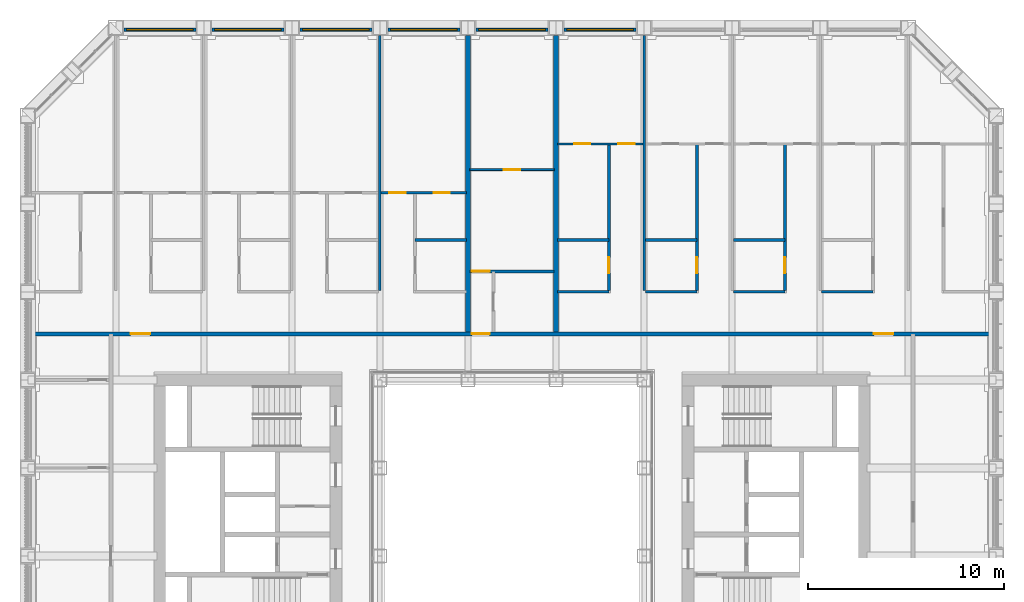
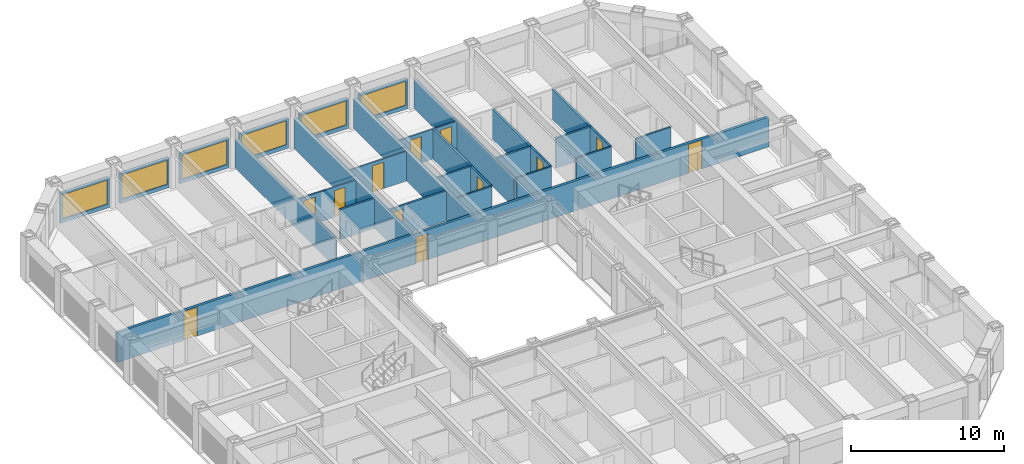
# One storey, part 14 of 21: 26 walls, 12 doors, 6 windows, 18 openings.
"""IFC4 building model written with IfcOpenShell, lengths in metres."""

import ifcopenshell
import ifcopenshell.guid

model = None  # the IFC model being written
_history = None  # IfcOwnerHistory: only IFC2X3 demands one
_inside = {}  # id of a spatial element -> (the spatial element, [elements in it])
_under = {}  # id of a project, library or spatial element -> (it, [spatial elements below it])
_declared = {}  # id of a project -> (the project, [libraries it declares])
_typed = {}  # id of a type object -> (the type object, [elements of that type])
_made_of = {}  # id of a material, layer set ... -> (it, [elements and type objects made of it])


def new_model(schema):
    """Start an empty IFC model of exactly this schema.

    Asked for "IFC4X3", IfcOpenShell would pick the latest addendum, in which some entities
    have other attributes; the version numbers below select the first issue.
    IFC2X3 requires an IfcOwnerHistory on every rooted entity: one is made here for all.
    """
    global model, _history
    if schema == "IFC4X3":
        model = ifcopenshell.file(schema_version=(4, 3, 0, 0))
    else:
        model = ifcopenshell.file(schema=schema)
    _inside.clear()
    _under.clear()
    _declared.clear()
    _typed.clear()
    _made_of.clear()
    _history = None
    if model.schema == "IFC2X3":
        org = make("IfcOrganization", Name="unknown")
        user = make(
            "IfcPersonAndOrganization",
            ThePerson=make("IfcPerson", FamilyName="unknown"),
            TheOrganization=org,
        )
        app = make(
            "IfcApplication",
            ApplicationDeveloper=org,
            Version="unknown",
            ApplicationFullName="unknown",
            ApplicationIdentifier="unknown",
        )
        _history = make(
            "IfcOwnerHistory",
            OwningUser=user,
            OwningApplication=app,
            ChangeAction="ADDED",
            CreationDate=0,
        )
    return model


def make(cls, **values):
    """One entity of the class cls with the attributes given. An attribute that is None is left unset."""
    return model.create_entity(
        cls, **{name: value for name, value in values.items() if value is not None}
    )


def rooted(cls, **values):
    """An entity with a GlobalId (a new one), such as an element, a storey or a relation."""
    return make(cls, GlobalId=ifcopenshell.guid.new(), OwnerHistory=_history, **values)


def si_unit(unit_type, name, prefix=None):
    """IfcSIUnit, for example si_unit("LENGTHUNIT", "METRE", prefix="MILLI")."""
    return make("IfcSIUnit", UnitType=unit_type, Prefix=prefix, Name=name)


def assignment(units):
    """IfcUnitAssignment: the units of a project."""
    return None if units is None else make("IfcUnitAssignment", Units=units)


def point(xyz):
    """IfcCartesianPoint."""
    return None if xyz is None else make("IfcCartesianPoint", Coordinates=xyz)


def direction(xyz):
    """IfcDirection."""
    return None if xyz is None else make("IfcDirection", DirectionRatios=xyz)


def frame(location, z_axis=None, x_axis=None):
    """IfcAxis2Placement3D, a coordinate frame: its origin and axes. An axis left out is left unset."""
    return make(
        "IfcAxis2Placement3D",
        Location=point(location),
        Axis=direction(z_axis),
        RefDirection=direction(x_axis),
    )


def frame_2d(location, x_axis=None):
    """IfcAxis2Placement2D, a coordinate frame in the plane: its origin and x axis."""
    return make(
        "IfcAxis2Placement2D", Location=point(location), RefDirection=direction(x_axis)
    )


def origin():
    """The frame at (0, 0, 0) with its axes left unset."""
    return frame((0.0, 0.0, 0.0))


def place(relative_to, where):
    """IfcLocalPlacement: puts the frame where relative to a parent placement (None: the world)."""
    return make(
        "IfcLocalPlacement", PlacementRelTo=relative_to, RelativePlacement=where
    )


def context(
    kind, dimensions, precision=None, world=None, true_north=None, identifier=None
):
    """IfcGeometricRepresentationContext, for example the 3D "Model" context."""
    return make(
        "IfcGeometricRepresentationContext",
        ContextIdentifier=identifier,
        ContextType=kind,
        CoordinateSpaceDimension=dimensions,
        Precision=precision,
        WorldCoordinateSystem=world,
        TrueNorth=true_north,
    )


def subcontext(parent, identifier, kind, view, scale=None):
    """IfcGeometricRepresentationSubContext, for example "Body" below "Model"."""
    return make(
        "IfcGeometricRepresentationSubContext",
        ContextIdentifier=identifier,
        ContextType=kind,
        ParentContext=parent,
        TargetScale=scale,
        TargetView=view,
    )


def project(units=None, contexts=None):
    """IfcProject with its units and contexts."""
    return rooted(
        "IfcProject",
        Name="project",
        RepresentationContexts=contexts,
        UnitsInContext=assignment(units),
    )


def spatial(cls, under=None, at=None, **own):
    """A site, building, storey or space (cls), placed at a placement, below another one or the project."""
    s = rooted(cls, ObjectPlacement=at, **own)
    if under is not None:
        _under.setdefault(under.id(), (under, []))[1].append(s)
    return s


def profile(cls, at=None, kind="AREA", **sizes):
    """A parametric profile (cls). Its sizes go by their IFC names, for example OverallWidth=200.0."""
    return make(cls, ProfileType=kind, Position=at, **sizes)


def rectangle(**sizes):
    """IfcRectangleProfileDef."""
    return profile("IfcRectangleProfileDef", **sizes)


def extrude(swept, where, along, depth):
    """IfcExtrudedAreaSolid: the profile swept, set in the frame where, extruded along a direction by depth."""
    return make(
        "IfcExtrudedAreaSolid",
        SweptArea=swept,
        Position=where,
        ExtrudedDirection=direction(along),
        Depth=depth,
    )


def shape(context_of_items, identifier, shape_type, items):
    """IfcShapeRepresentation: the items that make up one representation, for example the "Body"."""
    return make(
        "IfcShapeRepresentation",
        ContextOfItems=context_of_items,
        RepresentationIdentifier=identifier,
        RepresentationType=shape_type,
        Items=items,
    )


def material(Name=None, Category=None):
    """IfcMaterial."""
    return make("IfcMaterial", Name=Name, Category=Category)


def layer(
    of_material, thickness, ventilated=None, Name=None, Category=None, Priority=None
):
    """IfcMaterialLayer: one layer of a wall or slab, of a material (None: an air gap)."""
    return make(
        "IfcMaterialLayer",
        Material=of_material,
        LayerThickness=thickness,
        IsVentilated=ventilated,
        Name=Name,
        Category=Category,
        Priority=Priority,
    )


def layer_set(layers, Name=None):
    """IfcMaterialLayerSet."""
    return make("IfcMaterialLayerSet", MaterialLayers=layers, LayerSetName=Name)


def made_of(thing, what):
    """Note that an element or type object is made of a material, layer set ...; save() writes the relation."""
    if what is not None:
        _made_of.setdefault(what.id(), (what, []))[1].append(thing)
    return thing


def type_object(cls, material=None, **own):
    """A type object (cls), such as IfcWallType, which elements share."""
    return made_of(rooted(cls, **own), material)


def element(
    cls,
    number,
    at=None,
    inside=None,
    cuts=None,
    type_object=None,
    material=None,
    context=None,
    identifier="Body",
    shape_type=None,
    held_by="IfcProductDefinitionShape",
    body=None,
    shapes=None,
    **own,
):
    """One element of the class cls, such as IfcWall. Its Tag is "e" and its number.

    at: its placement. inside: the storey or other place that contains it. cuts: it is an
    opening in that element (IfcRelVoidsElement). A single representation is given by context,
    identifier, shape_type and body (its items); several are given by shapes. held_by: the class
    of the entity that holds the representations. save() writes the other relations.
    """
    e = rooted(cls, Tag="e%d" % number, ObjectPlacement=at, **own)
    if body is not None:
        shapes = [shape(context, identifier, shape_type, body)]
    if shapes is not None:
        e.Representation = make(held_by, Representations=shapes)
    if inside is not None:
        _inside.setdefault(inside.id(), (inside, []))[1].append(e)
    if cuts is not None:
        rooted(
            "IfcRelVoidsElement", RelatingBuildingElement=cuts, RelatedOpeningElement=e
        )
    if type_object is not None:
        _typed.setdefault(type_object.id(), (type_object, []))[1].append(e)
    return made_of(e, material)


def fill(opening, filler):
    """IfcRelFillsElement: the door or window that sits in an opening."""
    return rooted(
        "IfcRelFillsElement",
        RelatingOpeningElement=opening,
        RelatedBuildingElement=filler,
    )


def aggregate(whole, parts):
    """IfcRelAggregates: a whole, such as a stair, and the parts it consists of."""
    return rooted("IfcRelAggregates", RelatingObject=whole, RelatedObjects=parts)


def save(model, path):
    """Write the relations noted so far, then the file.

    IfcRelAggregates (storeys below a building ...), IfcRelContainedInSpatialStructure (elements
    in a storey), IfcRelDefinesByType, IfcRelAssociatesMaterial and IfcRelDeclares: one each for
    every whole, place, type object, material and project.
    """
    for whole, parts in _under.values():
        aggregate(whole, parts)
    for where, things in _inside.values():
        rooted(
            "IfcRelContainedInSpatialStructure",
            RelatedElements=things,
            RelatingStructure=where,
        )
    for kind, things in _typed.values():
        rooted("IfcRelDefinesByType", RelatedObjects=things, RelatingType=kind)
    for what, things in _made_of.values():
        rooted("IfcRelAssociatesMaterial", RelatedObjects=things, RelatingMaterial=what)
    for by, libraries in _declared.values():
        rooted("IfcRelDeclares", RelatingContext=by, RelatedDefinitions=libraries)
    model.write(path)


model = new_model("IFC4")

# Units and contexts
model_context = context("Model", 3, precision=1e-05, world=origin(), true_north=direction((0.0, 1.0)))
body_context = subcontext(model_context, "Body", "Model", "MODEL_VIEW")
ifc_project = project(units=[si_unit("LENGTHUNIT", "METRE"), si_unit("AREAUNIT", "SQUARE_METRE"), si_unit("VOLUMEUNIT", "CUBIC_METRE"), si_unit("PLANEANGLEUNIT", "RADIAN"), si_unit("MASSUNIT", "GRAM", prefix="KILO")], contexts=[model_context])

# Site, building, storey
site_placement = place(None, origin())
site = spatial("IfcSite", under=ifc_project, at=site_placement, CompositionType="ELEMENT")
building_placement = place(site_placement, origin())
building = spatial("IfcBuilding", under=site, at=building_placement, Name="Msasa Ring Tower", CompositionType="ELEMENT")
storey_placement = place(building_placement, frame((0.0, 0.0, 100.0)))
storey = spatial("IfcBuildingStorey", under=building, at=storey_placement, Name="L26", CompositionType="ELEMENT", Elevation=100.0)

# Wall, opening, window
ifc_material_1 = material(Name="Terracotta rainscreen on blockwork", Category="masonry")
ifc_layer_1 = layer(ifc_material_1, 0.199951171875)
ifc_layer_set_1 = layer_set([ifc_layer_1], Name="FW1 TERRACOTTA-LINED INFILL BAY WALL 200")
wall_type_1 = type_object("IfcWallType", Name="FW1 TERRACOTTA-LINED INFILL BAY WALL 200", PredefinedType="SOLIDWALL", material=ifc_layer_set_1)
wall_1_placement = place(storey_placement, frame((-19.844970703125, 24.64990234375, 0.0), z_axis=(0.0, 0.0, 1.0), x_axis=(1.0, 0.0, 0.0)))
wall_1 = element("IfcWall", 1, at=wall_1_placement, inside=storey, type_object=wall_type_1, Name="Infill bay wall N L26 22", PredefinedType="SOLIDWALL", context=body_context, shape_type="SweptSolid", body=[
    extrude(rectangle(XDim=3.68994140625, YDim=0.199951171875, at=frame_2d((1.844970703125, 0.0))), origin(), (0.0, 0.0, 1.0), 2.37890625),
])
opening_1_placement = place(wall_1_placement, frame((0.14501953125, 0.0, 0.300048828125)))
opening_1 = element("IfcOpeningElement", 2, at=opening_1_placement, cuts=wall_1, Name="Opening WN1", PredefinedType="OPENING", context=body_context, shape_type="SweptSolid", body=[
    extrude(rectangle(XDim=3.39990234375, YDim=1.928955078125, at=frame_2d((1.699951171875, 0.96435546875))), frame((0.0, 0.10986328125, 0.0), z_axis=(0.0, -1.0, 0.0), x_axis=(1.0, 0.0, 0.0)), (0.0, 0.0, 1.0), 0.219970703125),
])
ifc_material_2 = material(Name="Aluminium frame with clear glass", Category="aluminium")
window_type = type_object("IfcWindowType", Name="WN1 RESIDENCE WINDOW 3400x1929", PartitioningType="SINGLE_PANEL", PredefinedType="WINDOW", material=ifc_material_2)
window_1_placement = place(opening_1_placement, origin())
window_1 = element("IfcWindow", 3, at=window_1_placement, inside=storey, type_object=window_type, Name="Window N L26 22", OverallHeight=1.928955078125, OverallWidth=3.39990234375, PartitioningType="SINGLE_PANEL", PredefinedType="WINDOW", context=body_context, shape_type="SweptSolid", body=[
    extrude(rectangle(XDim=3.39990234375, YDim=1.928955078125, at=frame_2d((1.699951171875, 0.96435546875))), frame((0.0, 0.030029296875, 0.0), z_axis=(0.0, -1.0, 0.0), x_axis=(1.0, 0.0, 0.0)), (0.0, 0.0, 1.0), 0.06005859375),
])
fill(opening_1, window_1)

wall_2_placement = place(storey_placement, frame((-15.344970703125, 24.64990234375, 0.0), z_axis=(0.0, 0.0, 1.0), x_axis=(1.0, 0.0, 0.0)))
wall_2 = element("IfcWall", 4, at=wall_2_placement, inside=storey, type_object=wall_type_1, Name="Infill bay wall N L26 23", PredefinedType="SOLIDWALL", context=body_context, shape_type="SweptSolid", body=[
    extrude(rectangle(XDim=3.68994140625, YDim=0.199951171875, at=frame_2d((1.844970703125, 0.0))), origin(), (0.0, 0.0, 1.0), 2.37890625),
])
opening_2_placement = place(wall_2_placement, frame((0.14501953125, 0.0, 0.300048828125)))
opening_2 = element("IfcOpeningElement", 5, at=opening_2_placement, cuts=wall_2, Name="Opening WN1", PredefinedType="OPENING", context=body_context, shape_type="SweptSolid", body=[
    extrude(rectangle(XDim=3.39990234375, YDim=1.928955078125, at=frame_2d((1.699951171875, 0.96435546875))), frame((0.0, 0.10986328125, 0.0), z_axis=(0.0, -1.0, 0.0), x_axis=(1.0, 0.0, 0.0)), (0.0, 0.0, 1.0), 0.219970703125),
])
window_2_placement = place(opening_2_placement, origin())
window_2 = element("IfcWindow", 6, at=window_2_placement, inside=storey, type_object=window_type, Name="Window N L26 23", OverallHeight=1.928955078125, OverallWidth=3.39990234375, PartitioningType="SINGLE_PANEL", PredefinedType="WINDOW", context=body_context, shape_type="SweptSolid", body=[
    extrude(rectangle(XDim=3.39990234375, YDim=1.928955078125, at=frame_2d((1.699951171875, 0.96435546875))), frame((0.0, 0.030029296875, 0.0), z_axis=(0.0, -1.0, 0.0), x_axis=(1.0, 0.0, 0.0)), (0.0, 0.0, 1.0), 0.06005859375),
])
fill(opening_2, window_2)

wall_3_placement = place(storey_placement, frame((-10.844970703125, 24.64990234375, 0.0), z_axis=(0.0, 0.0, 1.0), x_axis=(1.0, 0.0, 0.0)))
wall_3 = element("IfcWall", 7, at=wall_3_placement, inside=storey, type_object=wall_type_1, Name="Infill bay wall N L26 24", PredefinedType="SOLIDWALL", context=body_context, shape_type="SweptSolid", body=[
    extrude(rectangle(XDim=3.68994140625, YDim=0.199951171875, at=frame_2d((1.844970703125, 0.0))), origin(), (0.0, 0.0, 1.0), 2.37890625),
])
opening_3_placement = place(wall_3_placement, frame((0.14501953125, 0.0, 0.300048828125)))
opening_3 = element("IfcOpeningElement", 8, at=opening_3_placement, cuts=wall_3, Name="Opening WN1", PredefinedType="OPENING", context=body_context, shape_type="SweptSolid", body=[
    extrude(rectangle(XDim=3.39990234375, YDim=1.928955078125, at=frame_2d((1.699951171875, 0.96435546875))), frame((0.0, 0.10986328125, 0.0), z_axis=(0.0, -1.0, 0.0), x_axis=(1.0, 0.0, 0.0)), (0.0, 0.0, 1.0), 0.219970703125),
])
window_3_placement = place(opening_3_placement, origin())
window_3 = element("IfcWindow", 9, at=window_3_placement, inside=storey, type_object=window_type, Name="Window N L26 24", OverallHeight=1.928955078125, OverallWidth=3.39990234375, PartitioningType="SINGLE_PANEL", PredefinedType="WINDOW", context=body_context, shape_type="SweptSolid", body=[
    extrude(rectangle(XDim=3.39990234375, YDim=1.928955078125, at=frame_2d((1.699951171875, 0.96435546875))), frame((0.0, 0.030029296875, 0.0), z_axis=(0.0, -1.0, 0.0), x_axis=(1.0, 0.0, 0.0)), (0.0, 0.0, 1.0), 0.06005859375),
])
fill(opening_3, window_3)

wall_4_placement = place(storey_placement, frame((-6.344970703125, 24.64990234375, 0.0), z_axis=(0.0, 0.0, 1.0), x_axis=(1.0, 0.0, 0.0)))
wall_4 = element("IfcWall", 10, at=wall_4_placement, inside=storey, type_object=wall_type_1, Name="Infill bay wall N L26 25", PredefinedType="SOLIDWALL", context=body_context, shape_type="SweptSolid", body=[
    extrude(rectangle(XDim=3.68994140625, YDim=0.199951171875, at=frame_2d((1.844970703125, 0.0))), origin(), (0.0, 0.0, 1.0), 2.37890625),
])
opening_4_placement = place(wall_4_placement, frame((0.14501953125, 0.0, 0.300048828125)))
opening_4 = element("IfcOpeningElement", 11, at=opening_4_placement, cuts=wall_4, Name="Opening WN1", PredefinedType="OPENING", context=body_context, shape_type="SweptSolid", body=[
    extrude(rectangle(XDim=3.39990234375, YDim=1.928955078125, at=frame_2d((1.699951171875, 0.96435546875))), frame((0.0, 0.10986328125, 0.0), z_axis=(0.0, -1.0, 0.0), x_axis=(1.0, 0.0, 0.0)), (0.0, 0.0, 1.0), 0.219970703125),
])
window_4_placement = place(opening_4_placement, origin())
window_4 = element("IfcWindow", 12, at=window_4_placement, inside=storey, type_object=window_type, Name="Window N L26 25", OverallHeight=1.928955078125, OverallWidth=3.39990234375, PartitioningType="SINGLE_PANEL", PredefinedType="WINDOW", context=body_context, shape_type="SweptSolid", body=[
    extrude(rectangle(XDim=3.39990234375, YDim=1.928955078125, at=frame_2d((1.699951171875, 0.96435546875))), frame((0.0, 0.030029296875, 0.0), z_axis=(0.0, -1.0, 0.0), x_axis=(1.0, 0.0, 0.0)), (0.0, 0.0, 1.0), 0.06005859375),
])
fill(opening_4, window_4)

wall_5_placement = place(storey_placement, frame((-1.844970703125, 24.64990234375, 0.0), z_axis=(0.0, 0.0, 1.0), x_axis=(1.0, 0.0, 0.0)))
wall_5 = element("IfcWall", 13, at=wall_5_placement, inside=storey, type_object=wall_type_1, Name="Infill bay wall N L26 26", PredefinedType="SOLIDWALL", context=body_context, shape_type="SweptSolid", body=[
    extrude(rectangle(XDim=3.68994140625, YDim=0.199951171875, at=frame_2d((1.844970703125, 0.0))), origin(), (0.0, 0.0, 1.0), 2.37890625),
])
opening_5_placement = place(wall_5_placement, frame((0.14501953125, 0.0, 0.300048828125)))
opening_5 = element("IfcOpeningElement", 14, at=opening_5_placement, cuts=wall_5, Name="Opening WN1", PredefinedType="OPENING", context=body_context, shape_type="SweptSolid", body=[
    extrude(rectangle(XDim=3.39990234375, YDim=1.928955078125, at=frame_2d((1.699951171875, 0.96435546875))), frame((0.0, 0.10986328125, 0.0), z_axis=(0.0, -1.0, 0.0), x_axis=(1.0, 0.0, 0.0)), (0.0, 0.0, 1.0), 0.219970703125),
])
window_5_placement = place(opening_5_placement, origin())
window_5 = element("IfcWindow", 15, at=window_5_placement, inside=storey, type_object=window_type, Name="Window N L26 26", OverallHeight=1.928955078125, OverallWidth=3.39990234375, PartitioningType="SINGLE_PANEL", PredefinedType="WINDOW", context=body_context, shape_type="SweptSolid", body=[
    extrude(rectangle(XDim=3.39990234375, YDim=1.928955078125, at=frame_2d((1.699951171875, 0.96435546875))), frame((0.0, 0.030029296875, 0.0), z_axis=(0.0, -1.0, 0.0), x_axis=(1.0, 0.0, 0.0)), (0.0, 0.0, 1.0), 0.06005859375),
])
fill(opening_5, window_5)

wall_6_placement = place(storey_placement, frame((2.655029296875, 24.64990234375, 0.0), z_axis=(0.0, 0.0, 1.0), x_axis=(1.0, 0.0, 0.0)))
wall_6 = element("IfcWall", 16, at=wall_6_placement, inside=storey, type_object=wall_type_1, Name="Infill bay wall N L26 27", PredefinedType="SOLIDWALL", context=body_context, shape_type="SweptSolid", body=[
    extrude(rectangle(XDim=3.68994140625, YDim=0.199951171875, at=frame_2d((1.844970703125, 0.0))), origin(), (0.0, 0.0, 1.0), 2.37890625),
])
opening_6_placement = place(wall_6_placement, frame((0.14501953125, 0.0, 0.300048828125)))
opening_6 = element("IfcOpeningElement", 17, at=opening_6_placement, cuts=wall_6, Name="Opening WN1", PredefinedType="OPENING", context=body_context, shape_type="SweptSolid", body=[
    extrude(rectangle(XDim=3.39990234375, YDim=1.928955078125, at=frame_2d((1.699951171875, 0.96435546875))), frame((0.0, 0.10986328125, 0.0), z_axis=(0.0, -1.0, 0.0), x_axis=(1.0, 0.0, 0.0)), (0.0, 0.0, 1.0), 0.219970703125),
])
window_6_placement = place(opening_6_placement, origin())
window_6 = element("IfcWindow", 18, at=window_6_placement, inside=storey, type_object=window_type, Name="Window N L26 27", OverallHeight=1.928955078125, OverallWidth=3.39990234375, PartitioningType="SINGLE_PANEL", PredefinedType="WINDOW", context=body_context, shape_type="SweptSolid", body=[
    extrude(rectangle(XDim=3.39990234375, YDim=1.928955078125, at=frame_2d((1.699951171875, 0.96435546875))), frame((0.0, 0.030029296875, 0.0), z_axis=(0.0, -1.0, 0.0), x_axis=(1.0, 0.0, 0.0)), (0.0, 0.0, 1.0), 0.06005859375),
])
fill(opening_6, window_6)

# Wall, openings, doors
ifc_material_3 = material(Name="Concrete blockwork", Category="masonry")
ifc_layer_2 = layer(ifc_material_3, 0.199951171875)
ifc_layer_set_2 = layer_set([ifc_layer_2], Name="PT1 CORRIDOR WALL 200")
wall_type_2 = type_object("IfcWallType", Name="PT1 CORRIDOR WALL 200", PredefinedType="PARTITIONING", material=ifc_layer_set_2)
wall_7_placement = place(storey_placement, frame((-24.550048828125, 9.10009765625, 0.0), z_axis=(0.0, 0.0, 1.0), x_axis=(1.0, 0.0, 0.0)))
wall_7 = element("IfcWall", 19, at=wall_7_placement, inside=storey, type_object=wall_type_2, Name="Corridor wall L26-CORRN0", PredefinedType="PARTITIONING", context=body_context, shape_type="SweptSolid", body=[
    extrude(rectangle(XDim=49.10009765625, YDim=0.199951171875, at=frame_2d((24.550048828125, 0.0))), origin(), (0.0, 0.0, 1.0), 2.373291015625),
])
opening_7_placement = place(wall_7_placement, frame((5.050048828125, 0.0, 0.0)))
opening_7 = element("IfcOpeningElement", 20, at=opening_7_placement, cuts=wall_7, Name="Opening RH-032", PredefinedType="OPENING", context=body_context, shape_type="SweptSolid", body=[
    extrude(rectangle(XDim=1.0, YDim=2.300048828125, at=frame_2d((0.5, 1.14990234375))), frame((0.0, 0.10986328125, 0.0), z_axis=(0.0, -1.0, 0.0), x_axis=(1.0, 0.0, 0.0)), (0.0, 0.0, 1.0), 0.219970703125),
])
opening_8_placement = place(wall_7_placement, frame((22.5, 0.0, 0.0)))
opening_8 = element("IfcOpeningElement", 21, at=opening_8_placement, cuts=wall_7, Name="Opening RH-033", PredefinedType="OPENING", context=body_context, shape_type="SweptSolid", body=[
    extrude(rectangle(XDim=0.89990234375, YDim=2.10009765625, at=frame_2d((0.449951171875, 1.050048828125))), frame((0.0, 0.10986328125, 0.0), z_axis=(0.0, -1.0, 0.0), x_axis=(1.0, 0.0, 0.0)), (0.0, 0.0, 1.0), 0.219970703125),
])
opening_9_placement = place(wall_7_placement, frame((43.050048828125, 0.0, 0.0)))
opening_9 = element("IfcOpeningElement", 22, at=opening_9_placement, cuts=wall_7, Name="Opening RH-034", PredefinedType="OPENING", context=body_context, shape_type="SweptSolid", body=[
    extrude(rectangle(XDim=1.0, YDim=2.300048828125, at=frame_2d((0.5, 1.14990234375))), frame((0.0, 0.10986328125, 0.0), z_axis=(0.0, -1.0, 0.0), x_axis=(1.0, 0.0, 0.0)), (0.0, 0.0, 1.0), 0.219970703125),
])
ifc_material_4 = material(Name="Timber door leaf in a steel frame", Category="steel")
door_type_1 = type_object("IfcDoorType", Name="D16 UPPER RESIDENCE ENTRANCE DOOR 1000x2300", OperationType="SINGLE_SWING_LEFT", PredefinedType="DOOR", material=ifc_material_4)
door_1_placement = place(opening_7_placement, origin())
door_1 = element("IfcDoor", 23, at=door_1_placement, inside=storey, type_object=door_type_1, Name="Door L26-UN00", OperationType="SINGLE_SWING_LEFT", OverallHeight=2.300048828125, OverallWidth=1.0, PredefinedType="DOOR", context=body_context, shape_type="SweptSolid", body=[
    extrude(rectangle(XDim=1.0, YDim=2.300048828125, at=frame_2d((0.5, 1.14990234375))), frame((0.0, 0.02490234375, 0.0), z_axis=(0.0, -1.0, 0.0), x_axis=(1.0, 0.0, 0.0)), (0.0, 0.0, 1.0), 0.050048828125),
])
fill(opening_7, door_1)
door_2_placement = place(opening_9_placement, origin())
door_2 = element("IfcDoor", 24, at=door_2_placement, inside=storey, type_object=door_type_1, Name="Door L26-UN02", OperationType="SINGLE_SWING_RIGHT", OverallHeight=2.300048828125, OverallWidth=1.0, PredefinedType="DOOR", context=body_context, shape_type="SweptSolid", body=[
    extrude(rectangle(XDim=1.0, YDim=2.300048828125, at=frame_2d((0.5, 1.14990234375))), frame((0.0, 0.02490234375, 0.0), z_axis=(0.0, -1.0, 0.0), x_axis=(1.0, 0.0, 0.0)), (0.0, 0.0, 1.0), 0.050048828125),
])
fill(opening_9, door_2)
ifc_material_5 = material(Name="Timber door leaf in a steel frame", Category="steel")
door_type_2 = type_object("IfcDoorType", Name="D2 ENTRANCE DOOR 900x2100", OperationType="SINGLE_SWING_LEFT", PredefinedType="DOOR", material=ifc_material_5)
door_3_placement = place(opening_8_placement, origin())
door_3 = element("IfcDoor", 25, at=door_3_placement, inside=storey, type_object=door_type_2, Name="Door L26-UN01", OperationType="SINGLE_SWING_LEFT", OverallHeight=2.10009765625, OverallWidth=0.89990234375, PredefinedType="DOOR", context=body_context, shape_type="SweptSolid", body=[
    extrude(rectangle(XDim=0.89990234375, YDim=2.10009765625, at=frame_2d((0.449951171875, 1.050048828125))), frame((0.0, 0.02490234375, 0.0), z_axis=(0.0, -1.0, 0.0), x_axis=(1.0, 0.0, 0.0)), (0.0, 0.0, 1.0), 0.050048828125),
])
fill(opening_8, door_3)

# Wall, opening, door
ifc_material_6 = material(Name="Gypsum board on steel studs", Category="steel")
ifc_layer_3 = layer(ifc_material_6, 0.10009765625)
ifc_layer_set_3 = layer_set([ifc_layer_3], Name="PT2 STUD PARTITION 100")
wall_type_3 = type_object("IfcWallType", Name="PT2 STUD PARTITION 100", PredefinedType="PARTITIONING", material=ifc_layer_set_3)
wall_8_placement = place(storey_placement, frame((-2.14990234375, 17.5, 0.0), z_axis=(0.0, 0.0, 1.0), x_axis=(1.0, 0.0, 0.0)))
wall_8 = element("IfcWall", 26, at=wall_8_placement, inside=storey, type_object=wall_type_3, Name="Partition L26-UN01SY", PredefinedType="PARTITIONING", context=body_context, shape_type="SweptSolid", body=[
    extrude(rectangle(XDim=4.2998046875, YDim=0.10009765625, at=frame_2d((2.14990234375, 0.0))), origin(), (0.0, 0.0, 1.0), 2.373291015625),
])
opening_10_placement = place(wall_8_placement, frame((1.72509765625, 0.0, 0.0)))
opening_10 = element("IfcOpeningElement", 27, at=opening_10_placement, cuts=wall_8, Name="Opening RH-010", PredefinedType="OPENING", context=body_context, shape_type="SweptSolid", body=[
    extrude(rectangle(XDim=0.85009765625, YDim=2.10009765625, at=frame_2d((0.425048828125, 1.050048828125))), frame((0.0, 0.06005859375, 0.0), z_axis=(0.0, -1.0, 0.0), x_axis=(1.0, 0.0, 0.0)), (0.0, 0.0, 1.0), 0.1201171875),
])
ifc_material_7 = material(Name="Timber door leaf in a steel frame", Category="steel")
door_type_3 = type_object("IfcDoorType", Name="D14 BEDROOM DOOR 850x2100", OperationType="SINGLE_SWING_LEFT", PredefinedType="DOOR", material=ifc_material_7)
door_4_placement = place(opening_10_placement, origin())
door_4 = element("IfcDoor", 28, at=door_4_placement, inside=storey, type_object=door_type_3, Name="Door L26-UN01R", OperationType="SINGLE_SWING_LEFT", OverallHeight=2.10009765625, OverallWidth=0.85009765625, PredefinedType="DOOR", context=body_context, shape_type="SweptSolid", body=[
    extrude(rectangle(XDim=0.85009765625, YDim=2.10009765625, at=frame_2d((0.425048828125, 1.050048828125))), frame((0.0, 0.02490234375, 0.0), z_axis=(0.0, -1.0, 0.0), x_axis=(1.0, 0.0, 0.0)), (0.0, 0.0, 1.0), 0.050048828125),
])
fill(opening_10, door_4)

# Walls
ifc_material_8 = material(Name="Dense concrete blockwork, plastered both faces", Category="masonry")
ifc_layer_4 = layer(ifc_material_8, 0.25)
ifc_layer_set_4 = layer_set([ifc_layer_4], Name="PT3 APARTMENT SEPARATING WALL 250")
wall_type_4 = type_object("IfcWallType", Name="PT3 APARTMENT SEPARATING WALL 250", PredefinedType="PARTITIONING", material=ifc_layer_set_4)
for number, where, z_axis, x_axis, name in (
    (29, (-2.25, 9.199951171875, 0.0), (0.0, 0.0, 1.0), (0.0, 1.0, 0.0), "Party wall L26-PWN-2.25"),
    (30, (2.25, 9.199951171875, 0.0), (0.0, 0.0, 1.0), (0.0, 1.0, 0.0), "Party wall L26-PWN+2.25"),
):
    element("IfcWall", number, at=place(storey_placement, frame(where, z_axis=z_axis, x_axis=x_axis)), inside=storey, type_object=wall_type_4, Name=name, PredefinedType="PARTITIONING", context=body_context, shape_type="SweptSolid", body=[
        extrude(rectangle(XDim=15.150146484375, YDim=0.25, at=frame_2d((7.5751953125, 0.0))), origin(), (0.0, 0.0, 1.0), 2.373291015625),
    ])
ifc_material_9 = material(Name="Moisture-resistant board on steel studs with a concealed cistern and pipe void, tiled", Category="steel")
ifc_layer_5 = layer(ifc_material_9, 0.14990234375)
ifc_layer_set_5 = layer_set([ifc_layer_5], Name="PT4 BATHROOM WET WALL 150")
wall_type_5 = type_object("IfcWallType", Name="PT4 BATHROOM WET WALL 150", PredefinedType="PARTITIONING", material=ifc_layer_set_5)
wall_9_placement = place(storey_placement, frame((-4.949951171875, 13.91259765625, 0.0), z_axis=(0.0, 0.0, 1.0), x_axis=(1.0, 0.0, 0.0)))
element("IfcWall", 31, at=wall_9_placement, inside=storey, type_object=wall_type_5, Name="Partition L26-UN00SB4", PredefinedType="PARTITIONING", context=body_context, shape_type="SweptSolid", body=[
    extrude(rectangle(XDim=2.632568359375, YDim=0.14990234375, at=frame_2d((1.31640625, 0.0))), origin(), (0.0, 0.0, 1.0), 2.373291015625),
])

# Wall, opening, door
wall_10_placement = place(storey_placement, frame((-2.14990234375, 12.300048828125, 0.0), z_axis=(0.0, 0.0, 1.0), x_axis=(1.0, 0.0, 0.0)))
wall_10 = element("IfcWall", 32, at=wall_10_placement, inside=storey, type_object=wall_type_5, Name="Partition L26-UN01BY", PredefinedType="PARTITIONING", context=body_context, shape_type="SweptSolid", body=[
    extrude(rectangle(XDim=4.2998046875, YDim=0.14990234375, at=frame_2d((2.14990234375, 0.0))), origin(), (0.0, 0.0, 1.0), 2.373291015625),
])
opening_11_placement = place(wall_10_placement, frame((0.10009765625, 0.0, 0.0)))
opening_11 = element("IfcOpeningElement", 33, at=opening_11_placement, cuts=wall_10, Name="Opening RH-030", PredefinedType="OPENING", context=body_context, shape_type="SweptSolid", body=[
    extrude(rectangle(XDim=0.89990234375, YDim=2.10009765625, at=frame_2d((0.449951171875, 1.050048828125))), frame((0.0, 0.0849609375, 0.0), z_axis=(0.0, -1.0, 0.0), x_axis=(1.0, 0.0, 0.0)), (0.0, 0.0, 1.0), 0.169921875),
])
ifc_material_10 = material(Name="Timber door leaf in a steel frame", Category="steel")
door_type_4 = type_object("IfcDoorType", Name="D22 INTERNAL HALL DOOR 900x2100", OperationType="SINGLE_SWING_LEFT", PredefinedType="DOOR", material=ifc_material_10)
door_5_placement = place(opening_11_placement, origin())
door_5 = element("IfcDoor", 34, at=door_5_placement, inside=storey, type_object=door_type_4, Name="Door L26-UN01S", OperationType="SINGLE_SWING_LEFT", OverallHeight=2.10009765625, OverallWidth=0.89990234375, PredefinedType="DOOR", context=body_context, shape_type="SweptSolid", body=[
    extrude(rectangle(XDim=0.89990234375, YDim=2.10009765625, at=frame_2d((0.449951171875, 1.050048828125))), frame((0.0, 0.02490234375, 0.0), z_axis=(0.0, -1.0, 0.0), x_axis=(1.0, 0.0, 0.0)), (0.0, 0.0, 1.0), 0.050048828125),
])
fill(opening_11, door_5)

wall_11_placement = place(storey_placement, frame((13.949951171875, 11.3125, 0.0), z_axis=(0.0, 0.0, 1.0), x_axis=(0.0, 1.0, 0.0)))
wall_11 = element("IfcWall", 35, at=wall_11_placement, inside=storey, type_object=wall_type_5, Name="Partition L26-UN02SX2", PredefinedType="PARTITIONING", context=body_context, shape_type="SweptSolid", body=[
    extrude(rectangle(XDim=7.5, YDim=0.14990234375, at=frame_2d((3.75, 0.0))), origin(), (0.0, 0.0, 1.0), 2.373291015625),
])
opening_12_placement = place(wall_11_placement, frame((0.89990234375, 0.0, 0.0)))
opening_12 = element("IfcOpeningElement", 36, at=opening_12_placement, cuts=wall_11, Name="Opening RH-028", PredefinedType="OPENING", context=body_context, shape_type="SweptSolid", body=[
    extrude(rectangle(XDim=0.800048828125, YDim=2.10009765625, at=frame_2d((0.39990234375, 1.050048828125))), frame((0.0, 0.0849609375, 0.0), z_axis=(0.0, -1.0, 0.0), x_axis=(1.0, 0.0, 0.0)), (0.0, 0.0, 1.0), 0.169921875),
])
ifc_material_11 = material(Name="Timber door leaf in a steel frame", Category="steel")
door_type_5 = type_object("IfcDoorType", Name="D21 POCKET SLIDING BATHROOM DOOR 800x2100", OperationType="SINGLE_SWING_LEFT", PredefinedType="DOOR", material=ifc_material_11)
door_6_placement = place(opening_12_placement, origin())
door_6 = element("IfcDoor", 37, at=door_6_placement, inside=storey, type_object=door_type_5, Name="Door L26-UN02B2", OperationType="SINGLE_SWING_LEFT", OverallHeight=2.10009765625, OverallWidth=0.800048828125, PredefinedType="DOOR", context=body_context, shape_type="SweptSolid", body=[
    extrude(rectangle(XDim=0.800048828125, YDim=2.10009765625, at=frame_2d((0.39990234375, 1.050048828125))), frame((0.0, 0.02490234375, 0.0), z_axis=(0.0, -1.0, 0.0), x_axis=(1.0, 0.0, 0.0)), (0.0, 0.0, 1.0), 0.050048828125),
])
fill(opening_12, door_6)

# Wall
wall_12_placement = place(storey_placement, frame((11.3125, 13.91259765625, 0.0), z_axis=(0.0, 0.0, 1.0), x_axis=(1.0, 0.0, 0.0)))
element("IfcWall", 38, at=wall_12_placement, inside=storey, type_object=wall_type_5, Name="Partition L26-UN02SB2", PredefinedType="PARTITIONING", context=body_context, shape_type="SweptSolid", body=[
    extrude(rectangle(XDim=2.637451171875, YDim=0.14990234375, at=frame_2d((1.31884765625, 0.0))), origin(), (0.0, 0.0, 1.0), 2.373291015625),
])

# Wall, opening, door
wall_13_placement = place(storey_placement, frame((9.449951171875, 11.3125, 0.0), z_axis=(0.0, 0.0, 1.0), x_axis=(0.0, 1.0, 0.0)))
wall_13 = element("IfcWall", 39, at=wall_13_placement, inside=storey, type_object=wall_type_5, Name="Partition L26-UN02SX3", PredefinedType="PARTITIONING", context=body_context, shape_type="SweptSolid", body=[
    extrude(rectangle(XDim=7.5, YDim=0.14990234375, at=frame_2d((3.75, 0.0))), origin(), (0.0, 0.0, 1.0), 2.373291015625),
])
opening_13_placement = place(wall_13_placement, frame((0.89990234375, 0.0, 0.0)))
opening_13 = element("IfcOpeningElement", 40, at=opening_13_placement, cuts=wall_13, Name="Opening RH-027", PredefinedType="OPENING", context=body_context, shape_type="SweptSolid", body=[
    extrude(rectangle(XDim=0.800048828125, YDim=2.10009765625, at=frame_2d((0.39990234375, 1.050048828125))), frame((0.0, 0.0849609375, 0.0), z_axis=(0.0, -1.0, 0.0), x_axis=(1.0, 0.0, 0.0)), (0.0, 0.0, 1.0), 0.169921875),
])
door_7_placement = place(opening_13_placement, origin())
door_7 = element("IfcDoor", 41, at=door_7_placement, inside=storey, type_object=door_type_5, Name="Door L26-UN02B3", OperationType="SINGLE_SWING_LEFT", OverallHeight=2.10009765625, OverallWidth=0.800048828125, PredefinedType="DOOR", context=body_context, shape_type="SweptSolid", body=[
    extrude(rectangle(XDim=0.800048828125, YDim=2.10009765625, at=frame_2d((0.39990234375, 1.050048828125))), frame((0.0, 0.02490234375, 0.0), z_axis=(0.0, -1.0, 0.0), x_axis=(1.0, 0.0, 0.0)), (0.0, 0.0, 1.0), 0.050048828125),
])
fill(opening_13, door_7)

# Wall
wall_14_placement = place(storey_placement, frame((6.8125, 13.91259765625, 0.0), z_axis=(0.0, 0.0, 1.0), x_axis=(1.0, 0.0, 0.0)))
element("IfcWall", 42, at=wall_14_placement, inside=storey, type_object=wall_type_5, Name="Partition L26-UN02SB3", PredefinedType="PARTITIONING", context=body_context, shape_type="SweptSolid", body=[
    extrude(rectangle(XDim=2.637451171875, YDim=0.14990234375, at=frame_2d((1.31884765625, 0.0))), origin(), (0.0, 0.0, 1.0), 2.373291015625),
])

# Wall, opening, door
wall_15_placement = place(storey_placement, frame((4.949951171875, 11.3125, 0.0), z_axis=(0.0, 0.0, 1.0), x_axis=(0.0, 1.0, 0.0)))
wall_15 = element("IfcWall", 43, at=wall_15_placement, inside=storey, type_object=wall_type_5, Name="Partition L26-UN02SX4", PredefinedType="PARTITIONING", context=body_context, shape_type="SweptSolid", body=[
    extrude(rectangle(XDim=7.5, YDim=0.14990234375, at=frame_2d((3.75, 0.0))), origin(), (0.0, 0.0, 1.0), 2.373291015625),
])
opening_14_placement = place(wall_15_placement, frame((0.89990234375, 0.0, 0.0)))
opening_14 = element("IfcOpeningElement", 44, at=opening_14_placement, cuts=wall_15, Name="Opening RH-026", PredefinedType="OPENING", context=body_context, shape_type="SweptSolid", body=[
    extrude(rectangle(XDim=0.800048828125, YDim=2.10009765625, at=frame_2d((0.39990234375, 1.050048828125))), frame((0.0, 0.0849609375, 0.0), z_axis=(0.0, -1.0, 0.0), x_axis=(1.0, 0.0, 0.0)), (0.0, 0.0, 1.0), 0.169921875),
])
door_8_placement = place(opening_14_placement, origin())
door_8 = element("IfcDoor", 45, at=door_8_placement, inside=storey, type_object=door_type_5, Name="Door L26-UN02B4", OperationType="SINGLE_SWING_LEFT", OverallHeight=2.10009765625, OverallWidth=0.800048828125, PredefinedType="DOOR", context=body_context, shape_type="SweptSolid", body=[
    extrude(rectangle(XDim=0.800048828125, YDim=2.10009765625, at=frame_2d((0.39990234375, 1.050048828125))), frame((0.0, 0.02490234375, 0.0), z_axis=(0.0, -1.0, 0.0), x_axis=(1.0, 0.0, 0.0)), (0.0, 0.0, 1.0), 0.050048828125),
])
fill(opening_14, door_8)

# Walls
wall_16_placement = place(storey_placement, frame((2.3173828125, 13.91259765625, 0.0), z_axis=(0.0, 0.0, 1.0), x_axis=(1.0, 0.0, 0.0)))
element("IfcWall", 46, at=wall_16_placement, inside=storey, type_object=wall_type_5, Name="Partition L26-UN02SB4", PredefinedType="PARTITIONING", context=body_context, shape_type="SweptSolid", body=[
    extrude(rectangle(XDim=2.632568359375, YDim=0.14990234375, at=frame_2d((1.31640625, 0.0))), origin(), (0.0, 0.0, 1.0), 2.373291015625),
])
ifc_material_12 = material(Name="Two layers of acoustic board each face on steel studs, mineral wool", Category="steel")
ifc_layer_6 = layer(ifc_material_12, 0.125)
ifc_layer_set_6 = layer_set([ifc_layer_6], Name="PT6 ACOUSTIC DOUBLE-BOARD PARTITION 125")
wall_type_6 = type_object("IfcWallType", Name="PT6 ACOUSTIC DOUBLE-BOARD PARTITION 125", PredefinedType="PARTITIONING", material=ifc_layer_set_6)
wall_17_placement = place(storey_placement, frame((-6.75, 11.3125, 0.0), z_axis=(0.0, 0.0, 1.0), x_axis=(0.0, 1.0, 0.0)))
element("IfcWall", 47, at=wall_17_placement, inside=storey, type_object=wall_type_6, Name="Partition L26-UN00P4", PredefinedType="PARTITIONING", context=body_context, shape_type="SweptSolid", body=[
    extrude(rectangle(XDim=13.03759765625, YDim=0.125, at=frame_2d((6.518798828125, 0.0))), origin(), (0.0, 0.0, 1.0), 2.373291015625),
])

# Wall, openings, doors
wall_18_placement = place(storey_placement, frame((-6.6875, 16.3125, 0.0), z_axis=(0.0, 0.0, 1.0), x_axis=(1.0, 0.0, 0.0)))
wall_18 = element("IfcWall", 48, at=wall_18_placement, inside=storey, type_object=wall_type_6, Name="Partition L26-UN00SY4", PredefinedType="PARTITIONING", context=body_context, shape_type="SweptSolid", body=[
    extrude(rectangle(XDim=4.3701171875, YDim=0.125, at=frame_2d((2.18505859375, 0.0))), origin(), (0.0, 0.0, 1.0), 2.373291015625),
])
opening_15_placement = place(wall_18_placement, frame((0.41259765625, 0.0, 0.0)))
opening_15 = element("IfcOpeningElement", 49, at=opening_15_placement, cuts=wall_18, Name="Opening RH-018", PredefinedType="OPENING", context=body_context, shape_type="SweptSolid", body=[
    extrude(rectangle(XDim=0.85009765625, YDim=2.10009765625, at=frame_2d((0.425048828125, 1.050048828125))), frame((0.0, 0.072509765625, 0.0), z_axis=(0.0, -1.0, 0.0), x_axis=(1.0, 0.0, 0.0)), (0.0, 0.0, 1.0), 0.14501953125),
])
opening_16_placement = place(wall_18_placement, frame((2.693603515625, 0.0, 0.0)))
opening_16 = element("IfcOpeningElement", 50, at=opening_16_placement, cuts=wall_18, Name="Opening RH-019", PredefinedType="OPENING", context=body_context, shape_type="SweptSolid", body=[
    extrude(rectangle(XDim=0.800048828125, YDim=2.10009765625, at=frame_2d((0.39990234375, 1.050048828125))), frame((0.0, 0.072509765625, 0.0), z_axis=(0.0, -1.0, 0.0), x_axis=(1.0, 0.0, 0.0)), (0.0, 0.0, 1.0), 0.14501953125),
])
door_9_placement = place(opening_15_placement, origin())
door_9 = element("IfcDoor", 51, at=door_9_placement, inside=storey, type_object=door_type_3, Name="Door L26-UN00R4", OperationType="SINGLE_SWING_LEFT", OverallHeight=2.10009765625, OverallWidth=0.85009765625, PredefinedType="DOOR", context=body_context, shape_type="SweptSolid", body=[
    extrude(rectangle(XDim=0.85009765625, YDim=2.10009765625, at=frame_2d((0.425048828125, 1.050048828125))), frame((0.0, 0.02490234375, 0.0), z_axis=(0.0, -1.0, 0.0), x_axis=(1.0, 0.0, 0.0)), (0.0, 0.0, 1.0), 0.050048828125),
])
fill(opening_15, door_9)
ifc_material_13 = material(Name="Timber door leaf in a steel frame", Category="steel")
door_type_6 = type_object("IfcDoorType", Name="D60 DRESSING ROOM DOOR 800x2100", OperationType="SINGLE_SWING_LEFT", PredefinedType="DOOR", material=ifc_material_13)
door_10_placement = place(opening_16_placement, origin())
door_10 = element("IfcDoor", 52, at=door_10_placement, inside=storey, type_object=door_type_6, Name="Door L26-UN00W4", OperationType="SINGLE_SWING_RIGHT", OverallHeight=2.10009765625, OverallWidth=0.800048828125, PredefinedType="DOOR", context=body_context, shape_type="SweptSolid", body=[
    extrude(rectangle(XDim=0.800048828125, YDim=2.10009765625, at=frame_2d((0.39990234375, 1.050048828125))), frame((0.0, 0.02490234375, 0.0), z_axis=(0.0, -1.0, 0.0), x_axis=(1.0, 0.0, 0.0)), (0.0, 0.0, 1.0), 0.050048828125),
])
fill(opening_16, door_10)

# Walls
for number, where, z_axis, x_axis, name in (
    (53, (15.8173828125, 11.25, 0.0), (0.0, 0.0, 1.0), (1.0, 0.0, 0.0), "Partition L26-UN02HY1"),
    (54, (11.3173828125, 11.25, 0.0), (0.0, 0.0, 1.0), (1.0, 0.0, 0.0), "Partition L26-UN02HY2"),
    (55, (6.8173828125, 11.25, 0.0), (0.0, 0.0, 1.0), (1.0, 0.0, 0.0), "Partition L26-UN02HY3"),
):
    element("IfcWall", number, at=place(storey_placement, frame(where, z_axis=z_axis, x_axis=x_axis)), inside=storey, type_object=wall_type_6, Name=name, PredefinedType="PARTITIONING", context=body_context, shape_type="SweptSolid", body=[
        extrude(rectangle(XDim=2.632568359375, YDim=0.125, at=frame_2d((1.31640625, 0.0))), origin(), (0.0, 0.0, 1.0), 2.373291015625),
    ])
wall_19_placement = place(storey_placement, frame((6.75, 11.3125, 0.0), z_axis=(0.0, 0.0, 1.0), x_axis=(0.0, 1.0, 0.0)))
element("IfcWall", 56, at=wall_19_placement, inside=storey, type_object=wall_type_6, Name="Partition L26-UN02P4", PredefinedType="PARTITIONING", context=body_context, shape_type="SweptSolid", body=[
    extrude(rectangle(XDim=13.03759765625, YDim=0.125, at=frame_2d((6.518798828125, 0.0))), origin(), (0.0, 0.0, 1.0), 2.373291015625),
])
wall_20_placement = place(storey_placement, frame((2.3173828125, 11.25, 0.0), z_axis=(0.0, 0.0, 1.0), x_axis=(1.0, 0.0, 0.0)))
element("IfcWall", 57, at=wall_20_placement, inside=storey, type_object=wall_type_6, Name="Partition L26-UN02HY4", PredefinedType="PARTITIONING", context=body_context, shape_type="SweptSolid", body=[
    extrude(rectangle(XDim=2.632568359375, YDim=0.125, at=frame_2d((1.31640625, 0.0))), origin(), (0.0, 0.0, 1.0), 2.373291015625),
])

# Wall, openings, doors
wall_21_placement = place(storey_placement, frame((2.3173828125, 18.8125, 0.0), z_axis=(0.0, 0.0, 1.0), x_axis=(1.0, 0.0, 0.0)))
wall_21 = element("IfcWall", 58, at=wall_21_placement, inside=storey, type_object=wall_type_6, Name="Partition L26-UN02SY4", PredefinedType="PARTITIONING", context=body_context, shape_type="SweptSolid", body=[
    extrude(rectangle(XDim=4.3701171875, YDim=0.125, at=frame_2d((2.18505859375, 0.0))), origin(), (0.0, 0.0, 1.0), 2.373291015625),
])
opening_17_placement = place(wall_21_placement, frame((3.107421875, 0.0, 0.0)))
opening_17 = element("IfcOpeningElement", 59, at=opening_17_placement, cuts=wall_21, Name="Opening RH-002", PredefinedType="OPENING", context=body_context, shape_type="SweptSolid", body=[
    extrude(rectangle(XDim=0.85009765625, YDim=2.10009765625, at=frame_2d((0.425048828125, 1.050048828125))), frame((0.0, 0.072509765625, 0.0), z_axis=(0.0, -1.0, 0.0), x_axis=(1.0, 0.0, 0.0)), (0.0, 0.0, 1.0), 0.14501953125),
])
opening_18_placement = place(wall_21_placement, frame((0.876220703125, 0.0, 0.0)))
opening_18 = element("IfcOpeningElement", 60, at=opening_18_placement, cuts=wall_21, Name="Opening RH-001", PredefinedType="OPENING", context=body_context, shape_type="SweptSolid", body=[
    extrude(rectangle(XDim=0.800048828125, YDim=2.10009765625, at=frame_2d((0.39990234375, 1.050048828125))), frame((0.0, 0.072509765625, 0.0), z_axis=(0.0, -1.0, 0.0), x_axis=(1.0, 0.0, 0.0)), (0.0, 0.0, 1.0), 0.14501953125),
])
door_11_placement = place(opening_17_placement, origin())
door_11 = element("IfcDoor", 61, at=door_11_placement, inside=storey, type_object=door_type_3, Name="Door L26-UN02R4", OperationType="SINGLE_SWING_RIGHT", OverallHeight=2.10009765625, OverallWidth=0.85009765625, PredefinedType="DOOR", context=body_context, shape_type="SweptSolid", body=[
    extrude(rectangle(XDim=0.85009765625, YDim=2.10009765625, at=frame_2d((0.425048828125, 1.050048828125))), frame((0.0, 0.02490234375, 0.0), z_axis=(0.0, -1.0, 0.0), x_axis=(1.0, 0.0, 0.0)), (0.0, 0.0, 1.0), 0.050048828125),
])
fill(opening_17, door_11)
door_12_placement = place(opening_18_placement, origin())
door_12 = element("IfcDoor", 62, at=door_12_placement, inside=storey, type_object=door_type_6, Name="Door L26-UN02W4", OperationType="SINGLE_SWING_LEFT", OverallHeight=2.10009765625, OverallWidth=0.800048828125, PredefinedType="DOOR", context=body_context, shape_type="SweptSolid", body=[
    extrude(rectangle(XDim=0.800048828125, YDim=2.10009765625, at=frame_2d((0.39990234375, 1.050048828125))), frame((0.0, 0.02490234375, 0.0), z_axis=(0.0, -1.0, 0.0), x_axis=(1.0, 0.0, 0.0)), (0.0, 0.0, 1.0), 0.050048828125),
])
fill(opening_18, door_12)

save(model, "model.ifc")
